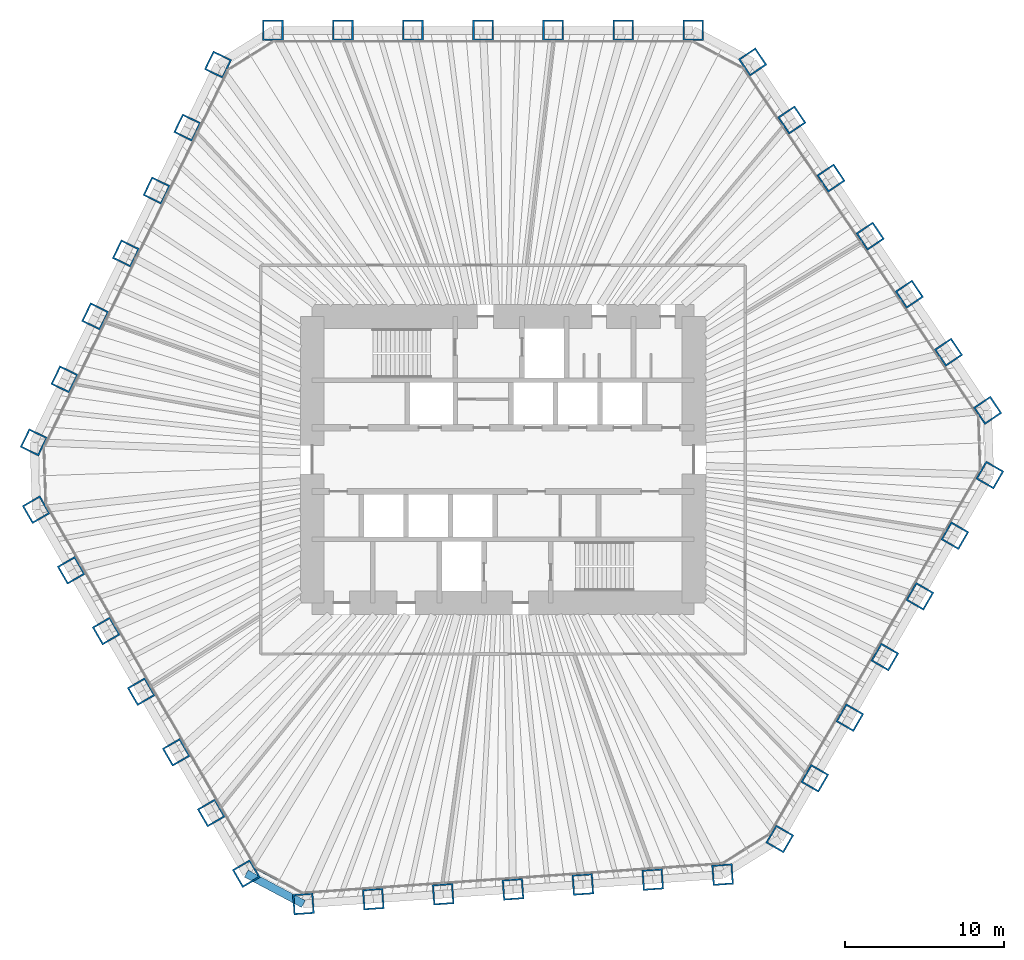
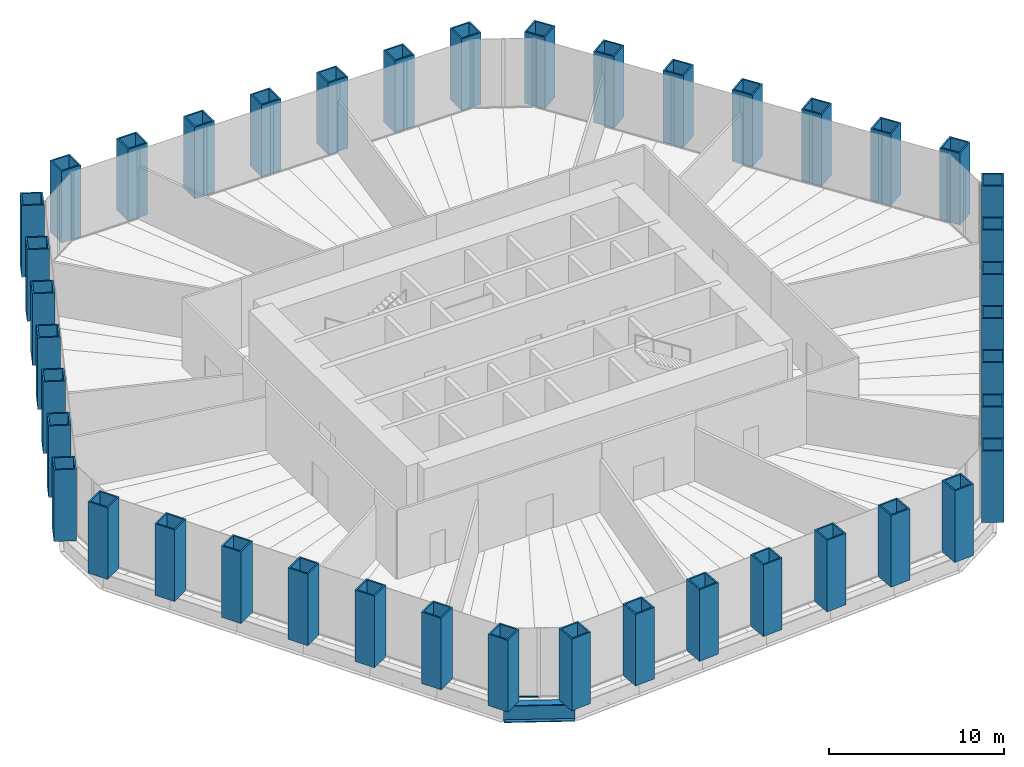
# One storey, part 1 of 13: 42 columns, 1 beam, 1 member, 1 element without a shape of its own.
"""IFC4 building model written with IfcOpenShell, lengths in metres."""

from ifc_helpers import new_model, si_unit, direction, frame, origin, origin_2d, place, context, subcontext, project, spatial, rectangle, hollow_rectangle, i_section, extrude, material, material_profile, profile_set, type_object, element, aggregate, save


model = new_model("IFC4")

# Units and contexts
model_context = context("Model", 3, precision=1e-05, world=origin(), true_north=direction((0.0, 1.0)))
body_context = subcontext(model_context, "Body", "Model", "MODEL_VIEW")
ifc_project = project(units=[si_unit("LENGTHUNIT", "METRE"), si_unit("AREAUNIT", "SQUARE_METRE"), si_unit("VOLUMEUNIT", "CUBIC_METRE"), si_unit("PLANEANGLEUNIT", "RADIAN"), si_unit("MASSUNIT", "GRAM", prefix="KILO")], contexts=[model_context])

# Site, building, storey
site_placement = place(None, origin())
site = spatial("IfcSite", under=ifc_project, at=site_placement, CompositionType="ELEMENT")
building_placement = place(site_placement, origin())
building = spatial("IfcBuilding", under=site, at=building_placement, Name="Qingtian Harvest Tower", CompositionType="ELEMENT")
storey_placement = place(building_placement, frame((0.0, 0.0, 87.0)))
storey = spatial("IfcBuildingStorey", under=building, at=storey_placement, Name="L17", CompositionType="ELEMENT", Elevation=87.0)

# Columns
ifc_material_1 = material(Name="Steel SM570MC", Category="steel")
ifc_material_profile_1 = material_profile(ifc_material_1, hollow_rectangle(XDim=1.300048828125, YDim=1.300048828125, WallThickness=0.10009765625, at=origin_2d()), Name="BOX1300x1300x100")
ifc_profile_set_1 = profile_set([ifc_material_profile_1], Name="Steel SM570MC")
column_type = type_object("IfcColumnType", Name="Tube column TC2 BOX1300x1300x100", PredefinedType="COLUMN", material=ifc_profile_set_1)
for number, where, z_axis, x_axis, name in (
    (1, (-14.471435546875, 27.0, 0.0), (0.0, 0.0, 1.0), (-1.0, 0.0, 0.0), "Tube column TC2 N0"),
    (2, (-10.06689453125, 27.0, 0.0), (0.0, 0.0, 1.0), (-1.0, 0.0, 0.0), "Tube column TC2 N1"),
    (3, (-5.662353515625, 27.0, 0.0), (0.0, 0.0, 1.0), (-1.0, 0.0, 0.0), "Tube column TC2 N2"),
    (4, (-1.257568359375, 27.0, 0.0), (0.0, 0.0, 1.0), (-1.0, 0.0, 0.0), "Tube column TC2 N3"),
    (5, (3.14697265625, 27.0, 0.0), (0.0, 0.0, 1.0), (-1.0, 0.0, 0.0), "Tube column TC2 N4"),
    (6, (7.551513671875, 27.0, 0.0), (0.0, 0.0, 1.0), (-1.0, 0.0, 0.0), "Tube column TC2 N5"),
    (7, (11.9560546875, 27.0, 0.0), (0.0, 0.0, 1.0), (-1.0, 0.0, 0.0), "Tube column TC2 N6"),
    (8, (15.6982421875, 25.01025390625, 0.0), (0.0, 0.0, 1.0), (-0.559192903471, 0.829037572555, 0.0), "Tube column TC2 NE0"),
    (9, (18.1611328125, 21.358642578125, 0.0), (0.0, 0.0, 1.0), (-0.559192903471, 0.829037572555, 0.0), "Tube column TC2 NE1"),
    (10, (20.624267578125, 17.70703125, 0.0), (0.0, 0.0, 1.0), (-0.559192903471, 0.829037572555, 0.0), "Tube column TC2 NE2"),
    (11, (23.08740234375, 14.0556640625, 0.0), (0.0, 0.0, 1.0), (-0.559192903471, 0.829037572555, 0.0), "Tube column TC2 NE3"),
    (12, (25.55029296875, 10.404052734375, 0.0), (0.0, 0.0, 1.0), (-0.559192903471, 0.829037572555, 0.0), "Tube column TC2 NE4"),
    (13, (28.013427734375, 6.75244140625, 0.0), (0.0, 0.0, 1.0), (-0.559192903471, 0.829037572555, 0.0), "Tube column TC2 NE5"),
    (14, (30.476318359375, 3.100830078125, 0.0), (0.0, 0.0, 1.0), (-0.559192903471, 0.829037572555, 0.0), "Tube column TC2 NE6"),
    (15, (30.618408203125, -0.96728515625, 0.0), (0.0, 0.0, 1.0), (0.5, 0.866025403784, 0.0), "Tube column TC2 SE0"),
    (16, (28.416015625, -4.78173828125, 0.0), (0.0, 0.0, 1.0), (0.5, 0.866025403784, 0.0), "Tube column TC2 SE1"),
    (17, (26.2138671875, -8.596435546875, 0.0), (0.0, 0.0, 1.0), (0.5, 0.866025403784, 0.0), "Tube column TC2 SE2"),
    (18, (24.011474609375, -12.410888671875, 0.0), (0.0, 0.0, 1.0), (0.5, 0.866025403784, 0.0), "Tube column TC2 SE3"),
    (19, (21.809326171875, -16.225341796875, 0.0), (0.0, 0.0, 1.0), (0.5, 0.866025403784, 0.0), "Tube column TC2 SE4"),
    (20, (19.60693359375, -20.039794921875, 0.0), (0.0, 0.0, 1.0), (0.5, 0.866025403784, 0.0), "Tube column TC2 SE5"),
    (21, (17.404541015625, -23.854248046875, 0.0), (0.0, 0.0, 1.0), (0.5, 0.866025403784, 0.0), "Tube column TC2 SE6"),
    (22, (13.810546875, -26.10009765625, 0.0), (0.0, 0.0, 1.0), (0.99756405026, 0.069756473744, 0.0), "Tube column TC2 S0"),
    (23, (9.41650390625, -26.407470703125, 0.0), (0.0, 0.0, 1.0), (0.99756405026, 0.069756473744, 0.0), "Tube column TC2 S1"),
    (24, (5.022705078125, -26.714599609375, 0.0), (0.0, 0.0, 1.0), (0.99756405026, 0.069756473744, 0.0), "Tube column TC2 S2"),
    (25, (0.62890625, -27.02197265625, 0.0), (0.0, 0.0, 1.0), (0.99756405026, 0.069756473744, 0.0), "Tube column TC2 S3"),
    (26, (-3.76513671875, -27.3291015625, 0.0), (0.0, 0.0, 1.0), (0.99756405026, 0.069756473744, 0.0), "Tube column TC2 S4"),
    (27, (-8.158935546875, -27.636474609375, 0.0), (0.0, 0.0, 1.0), (0.99756405026, 0.069756473744, 0.0), "Tube column TC2 S5"),
    (28, (-12.552734375, -27.943603515625, 0.0), (0.0, 0.0, 1.0), (0.99756405026, 0.069756473744, 0.0), "Tube column TC2 S6"),
    (29, (-16.14697265625, -26.03271484375, 0.0), (0.0, 0.0, 1.0), (0.5, -0.866025403784, 0.0), "Tube column TC2 SW0"),
    (30, (-18.349365234375, -22.21826171875, 0.0), (0.0, 0.0, 1.0), (0.5, -0.866025403784, 0.0), "Tube column TC2 SW1"),
    (31, (-20.551513671875, -18.403564453125, 0.0), (0.0, 0.0, 1.0), (0.5, -0.866025403784, 0.0), "Tube column TC2 SW2"),
    (32, (-22.75390625, -14.589111328125, 0.0), (0.0, 0.0, 1.0), (0.5, -0.866025403784, 0.0), "Tube column TC2 SW3"),
    (33, (-24.9560546875, -10.774658203125, 0.0), (0.0, 0.0, 1.0), (0.5, -0.866025403784, 0.0), "Tube column TC2 SW4"),
    (34, (-27.158447265625, -6.960205078125, 0.0), (0.0, 0.0, 1.0), (0.5, -0.866025403784, 0.0), "Tube column TC2 SW5"),
    (35, (-29.36083984375, -3.145751953125, 0.0), (0.0, 0.0, 1.0), (0.5, -0.866025403784, 0.0), "Tube column TC2 SW6"),
    (36, (-29.5087890625, 1.08984375, 0.0), (0.0, 0.0, 1.0), (-0.438371146789, -0.898794046299, 0.0), "Tube column TC2 NW0"),
    (37, (-27.577880859375, 5.048828125, 0.0), (0.0, 0.0, 1.0), (-0.438371146789, -0.898794046299, 0.0), "Tube column TC2 NW1"),
    (38, (-25.64697265625, 9.007568359375, 0.0), (0.0, 0.0, 1.0), (-0.438371146789, -0.898794046299, 0.0), "Tube column TC2 NW2"),
    (39, (-23.716064453125, 12.96630859375, 0.0), (0.0, 0.0, 1.0), (-0.438371146789, -0.898794046299, 0.0), "Tube column TC2 NW3"),
    (40, (-21.78515625, 16.92529296875, 0.0), (0.0, 0.0, 1.0), (-0.438371146789, -0.898794046299, 0.0), "Tube column TC2 NW4"),
    (41, (-19.8544921875, 20.884033203125, 0.0), (0.0, 0.0, 1.0), (-0.438371146789, -0.898794046299, 0.0), "Tube column TC2 NW5"),
    (42, (-17.923583984375, 24.8427734375, 0.0), (0.0, 0.0, 1.0), (-0.438371146789, -0.898794046299, 0.0), "Tube column TC2 NW6"),
):
    element("IfcColumn", number, at=place(storey_placement, frame(where, z_axis=z_axis, x_axis=x_axis)), inside=storey, type_object=column_type, Name=name, PredefinedType="COLUMN", context=body_context, shape_type="SweptSolid", body=[
        extrude(hollow_rectangle(XDim=1.300048828125, YDim=1.300048828125, WallThickness=0.10009765625, at=origin_2d()), origin(), (0.0, 0.0, 1.0), 5.0),
    ])

# Beam
ifc_material_2 = material(Name="Steel SM570MC", Category="steel")
ifc_material_profile_2 = material_profile(ifc_material_2, i_section(OverallWidth=0.5, OverallDepth=1.199951171875, WebThickness=0.02490234375, FlangeThickness=0.050048828125, at=origin_2d()), Name="H1200x500x25x50")
ifc_profile_set_2 = profile_set([ifc_material_profile_2], Name="Steel SM570MC")
beam_type = type_object("IfcBeamType", Name="Spandrel beam SB1 H1200x500x25x50", PredefinedType="SPANDREL", material=ifc_profile_set_2)
beam_placement = place(storey_placement, frame((-12.552734375, -27.943603515625, -0.60009765625), z_axis=(-0.882968133669, 0.469432929101, 0.0), x_axis=(-0.469432929101, -0.882968133669, 0.0)))
element("IfcBeam", 43, at=beam_placement, inside=storey, type_object=beam_type, Name="Spandrel SB1 SC", PredefinedType="SPANDREL", context=body_context, shape_type="SweptSolid", body=[
    extrude(i_section(OverallWidth=0.5, OverallDepth=1.199951171875, WebThickness=0.02490234375, FlangeThickness=0.050048828125, at=origin_2d()), origin(), (0.0, 0.0, 1.0), 4.070556640625),
])

# Curtain wall, member
ifc_material_3 = material(Name="Bronze-anodised aluminium curtain wall", Category="aluminium")
curtain_wall_type = type_object("IfcCurtainWallType", Name="Curtain wall CW2 farm reception", PredefinedType="USERDEFINED", material=ifc_material_3)
curtain_wall_placement = place(storey_placement, origin())
curtain_wall = element("IfcCurtainWall", 44, at=curtain_wall_placement, inside=storey, type_object=curtain_wall_type, Name="Curtain wall CW2 L17 SC", ObjectType="RECESSED CURTAIN WALL", PredefinedType="USERDEFINED")
ifc_material_4 = material(Name="Bronze-anodised aluminium transom", Category="aluminium")
ifc_material_profile_3 = material_profile(ifc_material_4, rectangle(XDim=0.14990234375, YDim=0.06494140625, at=origin_2d()), Name="AL 65x150")
ifc_profile_set_3 = profile_set([ifc_material_profile_3], Name="Bronze-anodised aluminium transom")
member_type = type_object("IfcMemberType", Name="Transom CWT 65x150", PredefinedType="USERDEFINED", material=ifc_profile_set_3)
member_placement = place(storey_placement, frame((-14.099853515625, -26.44873046875, 0.032470703125), z_axis=(-0.882960338349, 0.46944759122, 0.0), x_axis=(-0.46944759122, -0.882960338349, 0.0)))
member = element("IfcMember", 45, at=member_placement, type_object=member_type, Name="CW2 transom 2.1", ObjectType="TRANSOM", PredefinedType="USERDEFINED", context=body_context, shape_type="SweptSolid", body=[
    extrude(rectangle(XDim=0.14990234375, YDim=0.06494140625, at=origin_2d()), origin(), (0.0, 0.0, 1.0), 1.56689453125),
])
aggregate(curtain_wall, [member])

save(model, "model.ifc")
